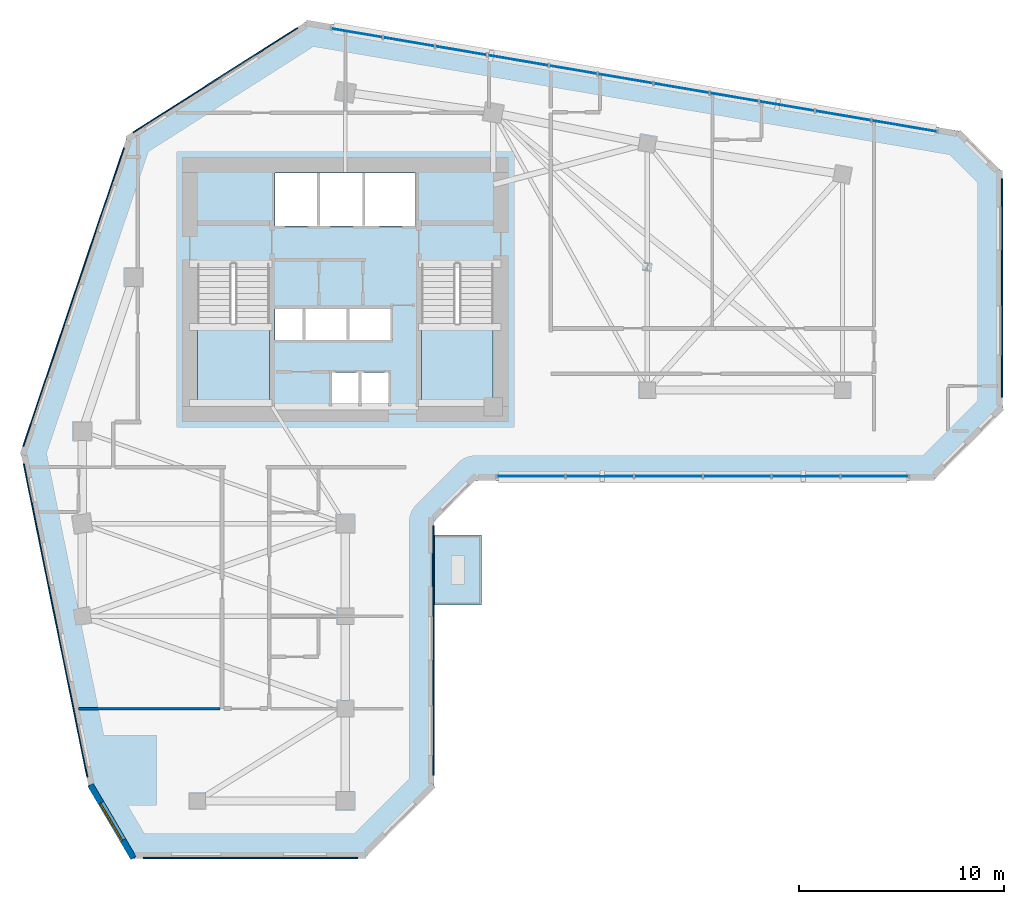
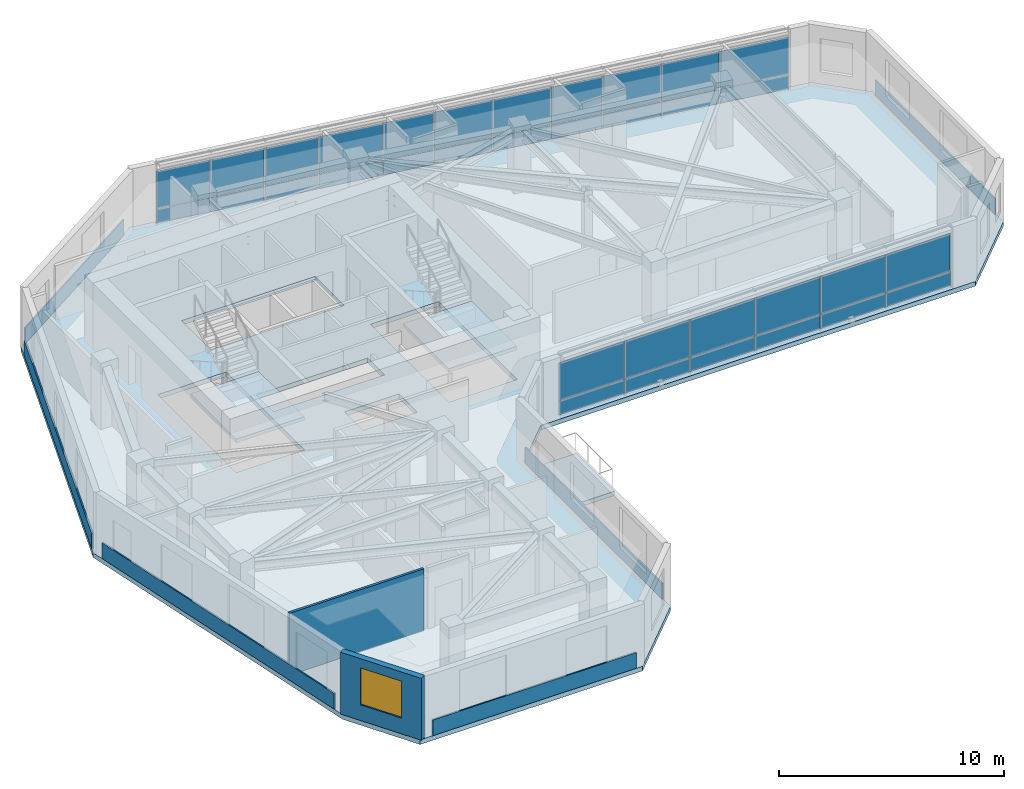
# One storey, part 3 of 10: 40 plates, 4 slabs, 2 walls, 1 window, 1 opening, 4 elements without a shape of their own.
"""IFC4 building model written with IfcOpenShell, lengths in metres."""

from ifc_helpers import new_model, si_unit, direction, frame, frame_2d, origin, place, context, subcontext, project, spatial, polyline, rectangle, outline, extrude, source, transform, mapped, material, layer, layer_set, type_object, element, fill, aggregate, save


model = new_model("IFC4")

# Units and contexts
model_context = context("Model", 3, precision=1e-05, world=origin(), true_north=direction((0.0, 1.0)))
body_context = subcontext(model_context, "Body", "Model", "MODEL_VIEW")
ifc_project = project(units=[si_unit("LENGTHUNIT", "METRE"), si_unit("AREAUNIT", "SQUARE_METRE"), si_unit("VOLUMEUNIT", "CUBIC_METRE"), si_unit("PLANEANGLEUNIT", "RADIAN"), si_unit("MASSUNIT", "GRAM", prefix="KILO")], contexts=[model_context])

# Site, building, storey
site_placement = place(None, origin())
site = spatial("IfcSite", under=ifc_project, at=site_placement, CompositionType="ELEMENT")
building_placement = place(site_placement, origin())
building = spatial("IfcBuilding", under=site, at=building_placement, Name="Calvemar Wedge Station Tower", CompositionType="ELEMENT")
storey_placement = place(building_placement, frame((0.0, 0.0, 146.60009765625)))
storey = spatial("IfcBuildingStorey", under=building, at=storey_placement, Name="L36", CompositionType="ELEMENT", Elevation=146.60009765625)

# Curtain wall, plates
ifc_material_1 = material(Name="Anodised aluminium 6063-T6", Category="aluminium")
curtain_wall_type = type_object("IfcCurtainWallType", Name="CW2", PredefinedType="NOTDEFINED", material=ifc_material_1)
curtain_wall_1_placement = place(storey_placement, origin())
curtain_wall_1 = element("IfcCurtainWall", 1, at=curtain_wall_1_placement, inside=storey, type_object=curtain_wall_type, Name="Storey L36 CW2 Recessed Unitised Curtain Wall 6", PredefinedType="NOTDEFINED")
ifc_material_2 = material(Name="Low-E laminated insulated glass", Category="glass")
ifc_layer_1 = layer(ifc_material_2, 0.028076171875)
ifc_layer_set_1 = layer_set([ifc_layer_1], Name="Low-E laminated insulated glass")
plate_type_1 = type_object("IfcPlateType", Name="CW2-GLZ", PredefinedType="CURTAIN_PANEL", material=ifc_layer_set_1)
plate_1_placement = place(storey_placement, frame((31.183837890625, 30.802001953125, 0.869873046875), z_axis=(0.0, 0.0, 1.0), x_axis=(1.0, 0.0, 0.0)))
plate_1 = element("IfcPlate", 2, at=plate_1_placement, type_object=plate_type_1, Name="CW2 vision glass panel 1", PredefinedType="CURTAIN_PANEL", context=body_context, shape_type="SweptSolid", body=[
    extrude(rectangle(XDim=3.309326171875, YDim=0.028076171875, at=frame_2d((1.65478515625, 0.0))), origin(), (0.0, 0.0, 1.0), 2.010009765625),
])
plate_2_placement = place(storey_placement, frame((34.529296875, 30.802001953125, 0.869873046875), z_axis=(0.0, 0.0, 1.0), x_axis=(1.0, 0.0, 0.0)))
plate_2 = element("IfcPlate", 3, at=plate_2_placement, type_object=plate_type_1, Name="CW2 vision glass panel 2", PredefinedType="CURTAIN_PANEL", context=body_context, shape_type="SweptSolid", body=[
    extrude(rectangle(XDim=3.309326171875, YDim=0.028076171875, at=frame_2d((1.65478515625, 0.0))), origin(), (0.0, 0.0, 1.0), 2.010009765625),
])
plate_3_placement = place(storey_placement, frame((37.87451171875, 30.802001953125, 0.869873046875), z_axis=(0.0, 0.0, 1.0), x_axis=(1.0, 0.0, 0.0)))
plate_3 = element("IfcPlate", 4, at=plate_3_placement, type_object=plate_type_1, Name="CW2 vision glass panel 3", PredefinedType="CURTAIN_PANEL", context=body_context, shape_type="SweptSolid", body=[
    extrude(rectangle(XDim=3.309326171875, YDim=0.028076171875, at=frame_2d((1.65478515625, 0.0))), origin(), (0.0, 0.0, 1.0), 2.010009765625),
])
plate_4_placement = place(storey_placement, frame((41.219970703125, 30.802001953125, 0.869873046875), z_axis=(0.0, 0.0, 1.0), x_axis=(1.0, 0.0, 0.0)))
plate_4 = element("IfcPlate", 5, at=plate_4_placement, type_object=plate_type_1, Name="CW2 vision glass panel 4", PredefinedType="CURTAIN_PANEL", context=body_context, shape_type="SweptSolid", body=[
    extrude(rectangle(XDim=3.309326171875, YDim=0.028076171875, at=frame_2d((1.65478515625, 0.0))), origin(), (0.0, 0.0, 1.0), 2.010009765625),
])
plate_5_placement = place(storey_placement, frame((44.565185546875, 30.802001953125, 0.869873046875), z_axis=(0.0, 0.0, 1.0), x_axis=(1.0, 0.0, 0.0)))
plate_5 = element("IfcPlate", 6, at=plate_5_placement, type_object=plate_type_1, Name="CW2 vision glass panel 5", PredefinedType="CURTAIN_PANEL", context=body_context, shape_type="SweptSolid", body=[
    extrude(rectangle(XDim=3.309326171875, YDim=0.028076171875, at=frame_2d((1.65478515625, 0.0))), origin(), (0.0, 0.0, 1.0), 2.010009765625),
])
plate_6_placement = place(storey_placement, frame((47.91064453125, 30.802001953125, 0.869873046875), z_axis=(0.0, 0.0, 1.0), x_axis=(1.0, 0.0, 0.0)))
plate_6 = element("IfcPlate", 7, at=plate_6_placement, type_object=plate_type_1, Name="CW2 vision glass panel 6", PredefinedType="CURTAIN_PANEL", context=body_context, shape_type="SweptSolid", body=[
    extrude(rectangle(XDim=3.309326171875, YDim=0.028076171875, at=frame_2d((1.65478515625, 0.0))), origin(), (0.0, 0.0, 1.0), 2.010009765625),
])

curtain_wall_2_placement = place(storey_placement, origin())
curtain_wall_2 = element("IfcCurtainWall", 8, at=curtain_wall_2_placement, inside=storey, type_object=curtain_wall_type, Name="Storey L36 CW2 Recessed Unitised Curtain Wall 10", PredefinedType="NOTDEFINED")
plate_7_placement = place(storey_placement, frame((52.615478515625, 47.580322265625, 0.869873046875), z_axis=(0.0, 0.0, 1.0), x_axis=(-0.985833907649, 0.167724495916, 0.0)))
plate_7 = element("IfcPlate", 9, at=plate_7_placement, type_object=plate_type_1, Name="CW2 vision glass panel 1", PredefinedType="CURTAIN_PANEL", context=body_context, shape_type="SweptSolid", body=[
    extrude(rectangle(XDim=3.2373046875, YDim=0.028076171875, at=frame_2d((1.61865234375, 0.0))), origin(), (0.0, 0.0, 1.0), 2.010009765625),
])
plate_8_placement = place(storey_placement, frame((49.388427734375, 48.129150390625, 0.869873046875), z_axis=(0.0, 0.0, 1.0), x_axis=(-0.985841253523, 0.167681313365, 0.0)))
plate_8 = element("IfcPlate", 10, at=plate_8_placement, type_object=plate_type_1, Name="CW2 vision glass panel 2", PredefinedType="CURTAIN_PANEL", context=body_context, shape_type="SweptSolid", body=[
    extrude(rectangle(XDim=2.7373046875, YDim=0.028076171875, at=frame_2d((1.36865234375, 0.0))), origin(), (0.0, 0.0, 1.0), 2.010009765625),
])
plate_9_placement = place(storey_placement, frame((46.654541015625, 48.59423828125, 0.869873046875), z_axis=(0.0, 0.0, 1.0), x_axis=(-0.985855994039, 0.167594627051, 0.0)))
plate_9 = element("IfcPlate", 11, at=plate_9_placement, type_object=plate_type_1, Name="CW2 vision glass panel 3", PredefinedType="CURTAIN_PANEL", context=body_context, shape_type="SweptSolid", body=[
    extrude(rectangle(XDim=2.7373046875, YDim=0.028076171875, at=frame_2d((1.36865234375, 0.0))), origin(), (0.0, 0.0, 1.0), 2.010009765625),
])
plate_10_placement = place(storey_placement, frame((43.92041015625, 49.05908203125, 0.869873046875), z_axis=(0.0, 0.0, 1.0), x_axis=(-0.985846595031, 0.167649906248, 0.0)))
plate_10 = element("IfcPlate", 12, at=plate_10_placement, type_object=plate_type_1, Name="CW2 vision glass panel 4", PredefinedType="CURTAIN_PANEL", context=body_context, shape_type="SweptSolid", body=[
    extrude(rectangle(XDim=2.3984375, YDim=0.028076171875, at=frame_2d((1.19921875, 0.0))), origin(), (0.0, 0.0, 1.0), 2.010009765625),
])
plate_11_placement = place(storey_placement, frame((41.5205078125, 49.46728515625, 0.869873046875), z_axis=(0.0, 0.0, 1.0), x_axis=(-0.985850982189, 0.167624106012, 0.0)))
plate_11 = element("IfcPlate", 13, at=plate_11_placement, type_object=plate_type_1, Name="CW2 vision glass panel 5", PredefinedType="CURTAIN_PANEL", context=body_context, shape_type="SweptSolid", body=[
    extrude(rectangle(XDim=2.73681640625, YDim=0.028076171875, at=frame_2d((1.368408203125, 0.0))), origin(), (0.0, 0.0, 1.0), 2.010009765625),
])
plate_12_placement = place(storey_placement, frame((38.786865234375, 49.93212890625, 0.869873046875), z_axis=(0.0, 0.0, 1.0), x_axis=(-0.985836236562, 0.167710806691, 0.0)))
plate_12 = element("IfcPlate", 14, at=plate_12_placement, type_object=plate_type_1, Name="CW2 vision glass panel 6", PredefinedType="CURTAIN_PANEL", context=body_context, shape_type="SweptSolid", body=[
    extrude(rectangle(XDim=2.73681640625, YDim=0.028076171875, at=frame_2d((1.368408203125, 0.0))), origin(), (0.0, 0.0, 1.0), 2.010009765625),
])
plate_13_placement = place(storey_placement, frame((36.053466796875, 50.39697265625, 0.869873046875), z_axis=(0.0, 0.0, 1.0), x_axis=(-0.985834995833, 0.167718099774, 0.0)))
plate_13 = element("IfcPlate", 15, at=plate_13_placement, type_object=plate_type_1, Name="CW2 vision glass panel 7", PredefinedType="CURTAIN_PANEL", context=body_context, shape_type="SweptSolid", body=[
    extrude(rectangle(XDim=2.361083984375, YDim=0.028076171875, at=frame_2d((1.1806640625, 0.0))), origin(), (0.0, 0.0, 1.0), 2.010009765625),
])
plate_14_placement = place(storey_placement, frame((33.6904296875, 50.798828125, 0.869873046875), z_axis=(0.0, 0.0, 1.0), x_axis=(-0.985846589489, 0.167649938837, 0.0)))
plate_14 = element("IfcPlate", 16, at=plate_14_placement, type_object=plate_type_1, Name="CW2 vision glass panel 8", PredefinedType="CURTAIN_PANEL", context=body_context, shape_type="SweptSolid", body=[
    extrude(rectangle(XDim=3.007080078125, YDim=0.028076171875, at=frame_2d((1.50341796875, 0.0))), origin(), (0.0, 0.0, 1.0), 2.010009765625),
])
plate_15_placement = place(storey_placement, frame((30.6904296875, 51.30908203125, 0.869873046875), z_axis=(0.0, 0.0, 1.0), x_axis=(-0.985852344868, 0.167616091467, 0.0)))
plate_15 = element("IfcPlate", 17, at=plate_15_placement, type_object=plate_type_1, Name="CW2 vision glass panel 9", PredefinedType="CURTAIN_PANEL", context=body_context, shape_type="SweptSolid", body=[
    extrude(rectangle(XDim=2.534423828125, YDim=0.028076171875, at=frame_2d((1.26708984375, 0.0))), origin(), (0.0, 0.0, 1.0), 2.010009765625),
])
plate_16_placement = place(storey_placement, frame((28.156494140625, 51.739990234375, 0.869873046875), z_axis=(0.0, 0.0, 1.0), x_axis=(-0.985852344868, 0.167616091467, 0.0)))
plate_16 = element("IfcPlate", 18, at=plate_16_placement, type_object=plate_type_1, Name="CW2 vision glass panel 10", PredefinedType="CURTAIN_PANEL", context=body_context, shape_type="SweptSolid", body=[
    extrude(rectangle(XDim=2.534423828125, YDim=0.028076171875, at=frame_2d((1.26708984375, 0.0))), origin(), (0.0, 0.0, 1.0), 2.010009765625),
])
plate_17_placement = place(storey_placement, frame((25.622314453125, 52.1708984375, 0.869873046875), z_axis=(0.0, 0.0, 1.0), x_axis=(-0.985833712673, 0.16772564192, 0.0)))
plate_17 = element("IfcPlate", 19, at=plate_17_placement, type_object=plate_type_1, Name="CW2 vision glass panel 11", PredefinedType="CURTAIN_PANEL", context=body_context, shape_type="SweptSolid", body=[
    extrude(rectangle(XDim=2.5341796875, YDim=0.028076171875, at=frame_2d((1.26708984375, 0.0))), origin(), (0.0, 0.0, 1.0), 2.010009765625),
])

# Plate
ifc_material_3 = material(Name="Oxidized bronze aluminium spandrel panel 5005-H24", Category="aluminium")
ifc_layer_2 = layer(ifc_material_3, 0.0400390625)
ifc_layer_set_2 = layer_set([ifc_layer_2], Name="Oxidized bronze aluminium spandrel panel 5005-H24")
plate_type_2 = type_object("IfcPlateType", Name="CW2-SPD", PredefinedType="SHEET", material=ifc_layer_set_2)
plate_18_placement = place(storey_placement, frame((31.183837890625, 30.802001953125, 0.079833984375), z_axis=(0.0, 0.0, 1.0), x_axis=(1.0, 0.0, 0.0)))
plate_18 = element("IfcPlate", 20, at=plate_18_placement, type_object=plate_type_2, Name="CW2 bronze spandrel panel 1", PredefinedType="SHEET", context=body_context, shape_type="SweptSolid", body=[
    extrude(rectangle(XDim=3.309326171875, YDim=0.0400390625, at=frame_2d((1.65478515625, 0.0))), origin(), (0.0, 0.0, 1.0), 0.75),
])

plate_19_placement = place(storey_placement, frame((34.529296875, 30.802001953125, 0.079833984375), z_axis=(0.0, 0.0, 1.0), x_axis=(1.0, 0.0, 0.0)))
plate_19 = element("IfcPlate", 21, at=plate_19_placement, type_object=plate_type_2, Name="CW2 bronze spandrel panel 2", PredefinedType="SHEET", context=body_context, shape_type="SweptSolid", body=[
    extrude(rectangle(XDim=3.309326171875, YDim=0.0400390625, at=frame_2d((1.65478515625, 0.0))), origin(), (0.0, 0.0, 1.0), 0.75),
])

plate_20_placement = place(storey_placement, frame((37.87451171875, 30.802001953125, 0.079833984375), z_axis=(0.0, 0.0, 1.0), x_axis=(1.0, 0.0, 0.0)))
plate_20 = element("IfcPlate", 22, at=plate_20_placement, type_object=plate_type_2, Name="CW2 bronze spandrel panel 3", PredefinedType="SHEET", context=body_context, shape_type="SweptSolid", body=[
    extrude(rectangle(XDim=3.309326171875, YDim=0.0400390625, at=frame_2d((1.65478515625, 0.0))), origin(), (0.0, 0.0, 1.0), 0.75),
])

plate_21_placement = place(storey_placement, frame((41.219970703125, 30.802001953125, 0.079833984375), z_axis=(0.0, 0.0, 1.0), x_axis=(1.0, 0.0, 0.0)))
plate_21 = element("IfcPlate", 23, at=plate_21_placement, type_object=plate_type_2, Name="CW2 bronze spandrel panel 4", PredefinedType="SHEET", context=body_context, shape_type="SweptSolid", body=[
    extrude(rectangle(XDim=3.309326171875, YDim=0.0400390625, at=frame_2d((1.65478515625, 0.0))), origin(), (0.0, 0.0, 1.0), 0.75),
])

plate_22_placement = place(storey_placement, frame((44.565185546875, 30.802001953125, 0.079833984375), z_axis=(0.0, 0.0, 1.0), x_axis=(1.0, 0.0, 0.0)))
plate_22 = element("IfcPlate", 24, at=plate_22_placement, type_object=plate_type_2, Name="CW2 bronze spandrel panel 5", PredefinedType="SHEET", context=body_context, shape_type="SweptSolid", body=[
    extrude(rectangle(XDim=3.309326171875, YDim=0.0400390625, at=frame_2d((1.65478515625, 0.0))), origin(), (0.0, 0.0, 1.0), 0.75),
])

plate_23_placement = place(storey_placement, frame((47.91064453125, 30.802001953125, 0.079833984375), z_axis=(0.0, 0.0, 1.0), x_axis=(1.0, 0.0, 0.0)))
plate_23 = element("IfcPlate", 25, at=plate_23_placement, type_object=plate_type_2, Name="CW2 bronze spandrel panel 6", PredefinedType="SHEET", context=body_context, shape_type="SweptSolid", body=[
    extrude(rectangle(XDim=3.309326171875, YDim=0.0400390625, at=frame_2d((1.65478515625, 0.0))), origin(), (0.0, 0.0, 1.0), 0.75),
])

aggregate(curtain_wall_1, [plate_18, plate_1, plate_19, plate_2, plate_20, plate_3, plate_21, plate_4, plate_22, plate_5, plate_23, plate_6])

plate_24_placement = place(storey_placement, frame((52.615478515625, 47.580322265625, 0.079833984375), z_axis=(0.0, 0.0, 1.0), x_axis=(-0.985833907649, 0.167724495916, 0.0)))
plate_24 = element("IfcPlate", 26, at=plate_24_placement, type_object=plate_type_2, Name="CW2 bronze spandrel panel 1", PredefinedType="SHEET", context=body_context, shape_type="SweptSolid", body=[
    extrude(rectangle(XDim=3.2373046875, YDim=0.0400390625, at=frame_2d((1.61865234375, 0.0))), origin(), (0.0, 0.0, 1.0), 0.75),
])

plate_25_placement = place(storey_placement, frame((49.388427734375, 48.129150390625, 0.079833984375), z_axis=(0.0, 0.0, 1.0), x_axis=(-0.985841253523, 0.167681313365, 0.0)))
plate_25 = element("IfcPlate", 27, at=plate_25_placement, type_object=plate_type_2, Name="CW2 bronze spandrel panel 2", PredefinedType="SHEET", context=body_context, shape_type="SweptSolid", body=[
    extrude(rectangle(XDim=2.7373046875, YDim=0.0400390625, at=frame_2d((1.36865234375, 0.0))), origin(), (0.0, 0.0, 1.0), 0.75),
])

plate_26_placement = place(storey_placement, frame((46.654541015625, 48.59423828125, 0.079833984375), z_axis=(0.0, 0.0, 1.0), x_axis=(-0.985855994039, 0.167594627051, 0.0)))
plate_26 = element("IfcPlate", 28, at=plate_26_placement, type_object=plate_type_2, Name="CW2 bronze spandrel panel 3", PredefinedType="SHEET", context=body_context, shape_type="SweptSolid", body=[
    extrude(rectangle(XDim=2.7373046875, YDim=0.0400390625, at=frame_2d((1.36865234375, 0.0))), origin(), (0.0, 0.0, 1.0), 0.75),
])

plate_27_placement = place(storey_placement, frame((43.92041015625, 49.05908203125, 0.079833984375), z_axis=(0.0, 0.0, 1.0), x_axis=(-0.985846595031, 0.167649906248, 0.0)))
plate_27 = element("IfcPlate", 29, at=plate_27_placement, type_object=plate_type_2, Name="CW2 bronze spandrel panel 4", PredefinedType="SHEET", context=body_context, shape_type="SweptSolid", body=[
    extrude(rectangle(XDim=2.3984375, YDim=0.0400390625, at=frame_2d((1.19921875, 0.0))), origin(), (0.0, 0.0, 1.0), 0.75),
])

plate_28_placement = place(storey_placement, frame((41.5205078125, 49.46728515625, 0.079833984375), z_axis=(0.0, 0.0, 1.0), x_axis=(-0.985850982189, 0.167624106012, 0.0)))
plate_28 = element("IfcPlate", 30, at=plate_28_placement, type_object=plate_type_2, Name="CW2 bronze spandrel panel 5", PredefinedType="SHEET", context=body_context, shape_type="SweptSolid", body=[
    extrude(rectangle(XDim=2.73681640625, YDim=0.0400390625, at=frame_2d((1.368408203125, 0.0))), origin(), (0.0, 0.0, 1.0), 0.75),
])

plate_29_placement = place(storey_placement, frame((38.786865234375, 49.93212890625, 0.079833984375), z_axis=(0.0, 0.0, 1.0), x_axis=(-0.985836236562, 0.167710806691, 0.0)))
plate_29 = element("IfcPlate", 31, at=plate_29_placement, type_object=plate_type_2, Name="CW2 bronze spandrel panel 6", PredefinedType="SHEET", context=body_context, shape_type="SweptSolid", body=[
    extrude(rectangle(XDim=2.73681640625, YDim=0.0400390625, at=frame_2d((1.368408203125, 0.0))), origin(), (0.0, 0.0, 1.0), 0.75),
])

plate_30_placement = place(storey_placement, frame((36.053466796875, 50.39697265625, 0.079833984375), z_axis=(0.0, 0.0, 1.0), x_axis=(-0.985834995833, 0.167718099774, 0.0)))
plate_30 = element("IfcPlate", 32, at=plate_30_placement, type_object=plate_type_2, Name="CW2 bronze spandrel panel 7", PredefinedType="SHEET", context=body_context, shape_type="SweptSolid", body=[
    extrude(rectangle(XDim=2.361083984375, YDim=0.0400390625, at=frame_2d((1.1806640625, 0.0))), origin(), (0.0, 0.0, 1.0), 0.75),
])

plate_31_placement = place(storey_placement, frame((33.6904296875, 50.798828125, 0.079833984375), z_axis=(0.0, 0.0, 1.0), x_axis=(-0.985846589489, 0.167649938837, 0.0)))
plate_31 = element("IfcPlate", 33, at=plate_31_placement, type_object=plate_type_2, Name="CW2 bronze spandrel panel 8", PredefinedType="SHEET", context=body_context, shape_type="SweptSolid", body=[
    extrude(rectangle(XDim=3.007080078125, YDim=0.0400390625, at=frame_2d((1.50341796875, 0.0))), origin(), (0.0, 0.0, 1.0), 0.75),
])

plate_32_placement = place(storey_placement, frame((30.6904296875, 51.30908203125, 0.079833984375), z_axis=(0.0, 0.0, 1.0), x_axis=(-0.985852344868, 0.167616091467, 0.0)))
plate_32 = element("IfcPlate", 34, at=plate_32_placement, type_object=plate_type_2, Name="CW2 bronze spandrel panel 9", PredefinedType="SHEET", context=body_context, shape_type="SweptSolid", body=[
    extrude(rectangle(XDim=2.534423828125, YDim=0.0400390625, at=frame_2d((1.26708984375, 0.0))), origin(), (0.0, 0.0, 1.0), 0.75),
])

plate_33_placement = place(storey_placement, frame((28.156494140625, 51.739990234375, 0.079833984375), z_axis=(0.0, 0.0, 1.0), x_axis=(-0.985852344868, 0.167616091467, 0.0)))
plate_33 = element("IfcPlate", 35, at=plate_33_placement, type_object=plate_type_2, Name="CW2 bronze spandrel panel 10", PredefinedType="SHEET", context=body_context, shape_type="SweptSolid", body=[
    extrude(rectangle(XDim=2.534423828125, YDim=0.0400390625, at=frame_2d((1.26708984375, 0.0))), origin(), (0.0, 0.0, 1.0), 0.75),
])

plate_34_placement = place(storey_placement, frame((25.622314453125, 52.1708984375, 0.079833984375), z_axis=(0.0, 0.0, 1.0), x_axis=(-0.985833712673, 0.16772564192, 0.0)))
plate_34 = element("IfcPlate", 36, at=plate_34_placement, type_object=plate_type_2, Name="CW2 bronze spandrel panel 11", PredefinedType="SHEET", context=body_context, shape_type="SweptSolid", body=[
    extrude(rectangle(XDim=2.5341796875, YDim=0.0400390625, at=frame_2d((1.26708984375, 0.0))), origin(), (0.0, 0.0, 1.0), 0.75),
])

aggregate(curtain_wall_2, [plate_24, plate_7, plate_25, plate_8, plate_26, plate_9, plate_27, plate_10, plate_28, plate_11, plate_29, plate_12, plate_30, plate_13, plate_31, plate_14, plate_32, plate_15, plate_33, plate_16, plate_34, plate_17])

# Plates
ifc_material_4 = material(Name="Precast concrete C45", Category="concrete")
ifc_layer_3 = layer(ifc_material_4, 0.06494140625)
ifc_layer_set_3 = layer_set([ifc_layer_3], Name="Precast concrete C45")
plate_type_3 = type_object("IfcPlateType", Name="PL-GFRC-FIN", PredefinedType="USERDEFINED", material=ifc_layer_set_3)
plate_35_placement = place(storey_placement, frame((13.973876953125, 12.22998046875, 0.0), z_axis=(0.0, 0.0, 1.0), x_axis=(1.0, 0.0, 0.0)))
element("IfcPlate", 37, at=plate_35_placement, inside=storey, type_object=plate_type_3, Name="Storey L36 Oxidized-Bronze GFRC Spandrel Cladding 2", ObjectType="CLADDING PANEL", PredefinedType="USERDEFINED", context=body_context, shape_type="SweptSolid", body=[
    extrude(rectangle(XDim=10.442138671875, YDim=0.06494140625, at=frame_2d((5.22119140625, 0.0))), origin(), (0.0, 0.0, 1.0), 0.849853515625),
])
plate_36_placement = place(storey_placement, frame((28.097900390625, 16.25732421875, 0.0), z_axis=(0.0, 0.0, 1.0), x_axis=(0.0, 1.0, 0.0)))
element("IfcPlate", 38, at=plate_36_placement, inside=storey, type_object=plate_type_3, Name="Storey L36 Oxidized-Bronze GFRC Spandrel Cladding 4", ObjectType="CLADDING PANEL", PredefinedType="USERDEFINED", context=body_context, shape_type="SweptSolid", body=[
    extrude(rectangle(XDim=12.146728515625, YDim=0.06494140625, at=frame_2d((6.0732421875, 0.0))), origin(), (0.0, 0.0, 1.0), 0.849853515625),
])
plate_37_placement = place(storey_placement, frame((55.77001953125, 34.6494140625, 0.0), z_axis=(0.0, 0.0, 1.0), x_axis=(0.0, 1.0, 0.0)))
element("IfcPlate", 39, at=plate_37_placement, inside=storey, type_object=plate_type_3, Name="Storey L36 Oxidized-Bronze GFRC Spandrel Cladding 8", ObjectType="CLADDING PANEL", PredefinedType="USERDEFINED", context=body_context, shape_type="SweptSolid", body=[
    extrude(rectangle(XDim=10.63037109375, YDim=0.06494140625, at=frame_2d((5.315185546875, 0.0))), origin(), (0.0, 0.0, 1.0), 0.849853515625),
])
plate_38_placement = place(storey_placement, frame((21.472900390625, 52.62890625, 0.0), z_axis=(0.0, 0.0, 1.0), x_axis=(-0.843667847652, -0.536865497903, 0.0)))
element("IfcPlate", 40, at=plate_38_placement, inside=storey, type_object=plate_type_3, Name="Storey L36 Oxidized-Bronze GFRC Spandrel Cladding 11", ObjectType="CLADDING PANEL", PredefinedType="USERDEFINED", context=body_context, shape_type="SweptSolid", body=[
    extrude(rectangle(XDim=9.48388671875, YDim=0.06494140625, at=frame_2d((4.741943359375, 0.0))), origin(), (0.0, 0.0, 1.0), 0.849853515625),
])
plate_39_placement = place(storey_placement, frame((13.02685546875, 46.793212890625, 0.0), z_axis=(0.0, 0.0, 1.0), x_axis=(-0.319917646984, -0.947445354175, 0.0)))
element("IfcPlate", 41, at=plate_39_placement, inside=storey, type_object=plate_type_3, Name="Storey L36 Oxidized-Bronze GFRC Spandrel Cladding 12", ObjectType="CLADDING PANEL", PredefinedType="USERDEFINED", context=body_context, shape_type="SweptSolid", body=[
    extrude(rectangle(XDim=15.333740234375, YDim=0.06494140625, at=frame_2d((7.6669921875, 0.0))), origin(), (0.0, 0.0, 1.0), 0.849853515625),
])
plate_40_placement = place(storey_placement, frame((8.148681640625, 31.41796875, 0.0), z_axis=(0.0, 0.0, 1.0), x_axis=(0.198878666253, -0.980024120167, 0.0)))
element("IfcPlate", 42, at=plate_40_placement, inside=storey, type_object=plate_type_3, Name="Storey L36 Oxidized-Bronze GFRC Spandrel Cladding 13", ObjectType="CLADDING PANEL", PredefinedType="USERDEFINED", context=body_context, shape_type="SweptSolid", body=[
    extrude(rectangle(XDim=15.563232421875, YDim=0.06494140625, at=frame_2d((7.78173828125, 0.0))), origin(), (0.0, 0.0, 1.0), 0.849853515625),
])

# Stair, slab
ifc_material_5 = material(Name="Concrete C45", Category="concrete")
stair_type = type_object("IfcStairType", Name="ST-TYPE-3600", PredefinedType="HALF_TURN_STAIR", material=ifc_material_5)
stair_1_placement = place(storey_placement, origin())
stair_1 = element("IfcStair", 43, at=stair_1_placement, inside=storey, type_object=stair_type, Name="L36 Pressurized Core Exit Stair ST-C1", PredefinedType="HALF_TURN_STAIR")
ifc_layer_4 = layer(ifc_material_5, 0.199951171875)
ifc_layer_set_4 = layer_set([ifc_layer_4], Name="Concrete C45")
slab_type_1 = type_object("IfcSlabType", Name="SL-STAIR-LND-200", PredefinedType="LANDING", material=ifc_layer_set_4)
slab_1_placement = place(storey_placement, frame((0.0, 0.0, 1.599853515625)))
slab_1 = element("IfcSlab", 44, at=slab_1_placement, type_object=slab_type_1, Name="ST-C1 landing 1", PredefinedType="LANDING", context=body_context, shape_type="SweptSolid", body=[
    extrude(outline(polyline([(16.60009765625, 38.25), (16.60009765625, 34.199951171875), (20.10009765625, 34.199951171875), (20.10009765625, 38.25), (16.60009765625, 38.25)])), origin(), (0.0, 0.0, 1.0), 0.199951171875),
])
aggregate(stair_1, [slab_1])

stair_2_placement = place(storey_placement, origin())
stair_2 = element("IfcStair", 45, at=stair_2_placement, inside=storey, type_object=stair_type, Name="L36 Pressurized Core Exit Stair ST-C2", PredefinedType="HALF_TURN_STAIR")
slab_2_placement = place(storey_placement, frame((0.0, 0.0, 1.599853515625)))
slab_2 = element("IfcSlab", 46, at=slab_2_placement, type_object=slab_type_1, Name="ST-C2 landing 1", PredefinedType="LANDING", context=body_context, shape_type="SweptSolid", body=[
    extrude(outline(polyline([(27.5, 38.25), (27.5, 34.199951171875), (31.0, 34.199951171875), (31.0, 38.25), (27.5, 38.25)])), origin(), (0.0, 0.0, 1.0), 0.199951171875),
])
aggregate(stair_2, [slab_2])

# Slabs
ifc_layer_5 = layer(ifc_material_5, 0.239990234375)
ifc_layer_set_5 = layer_set([ifc_layer_5], Name="Concrete C45")
slab_type_2 = type_object("IfcSlabType", Name="SL-TERR-240", PredefinedType="FLOOR", material=ifc_layer_set_5)
slab_3_placement = place(storey_placement, frame((0.0, 0.0, -0.239990234375)))
element("IfcSlab", 47, at=slab_3_placement, inside=storey, type_object=slab_type_2, Name="Storey L36 Planted Spiral Terrace Slab", PredefinedType="FLOOR", context=body_context, shape_type="SweptSolid", body=[
    extrude(outline(polyline([(28.1279296875, 24.550048828125), (30.427978515625, 24.550048828125), (30.427978515625, 27.949951171875), (28.1279296875, 27.949951171875), (28.1279296875, 24.550048828125)])), origin(), (0.0, 0.0, 1.0), 0.239990234375),
])
ifc_material_6 = material(Name="Concrete C50", Category="concrete")
ifc_layer_6 = layer(ifc_material_6, 0.25)
ifc_layer_set_6 = layer_set([ifc_layer_6], Name="Concrete C50")
slab_type_3 = type_object("IfcSlabType", Name="SL-TYP-250", PredefinedType="FLOOR", material=ifc_layer_set_6)
slab_4_placement = place(storey_placement, frame((0.0, 0.0, -0.25)))
element("IfcSlab", 48, at=slab_4_placement, inside=storey, type_object=slab_type_3, Name="Storey L36 Structural Floor Slab", PredefinedType="FLOOR", context=body_context, shape_type="SweptSolid", body=[
    extrude(outline(polyline([(8.0, 32.0), (11.327880859375, 15.60009765625), (13.327880859375, 12.199951171875), (24.72802734375, 12.199951171875), (28.1279296875, 15.60009765625), (28.1279296875, 28.592041015625), (30.1279296875, 30.592041015625), (52.39990234375, 30.592041015625), (55.800048828125, 33.991943359375), (55.800048828125, 45.592041015625), (53.800048828125, 47.592041015625), (22.0, 53.0), (13.199951171875, 47.39990234375), (8.0, 32.0)]), holes=[polyline([(24.52001953125, 35.85009765625), (24.510009765625, 35.85009765625), (23.1201171875, 35.85009765625), (23.1201171875, 34.219970703125), (24.510009765625, 34.219970703125), (24.52001953125, 34.219970703125), (25.909912109375, 34.219970703125), (25.909912109375, 35.85009765625), (24.52001953125, 35.85009765625)]), polyline([(16.60009765625, 34.199951171875), (20.10009765625, 34.199951171875), (20.10009765625, 41.14990234375), (16.60009765625, 41.14990234375), (16.60009765625, 34.199951171875)]), polyline([(27.5, 34.199951171875), (31.0, 34.199951171875), (31.0, 41.14990234375), (27.5, 41.14990234375), (27.5, 34.199951171875)]), polyline([(21.800048828125, 38.949951171875), (21.7900390625, 38.949951171875), (20.3798828125, 38.949951171875), (20.3798828125, 37.449951171875), (21.7900390625, 37.449951171875), (21.800048828125, 37.449951171875), (23.929931640625, 37.449951171875), (23.93994140625, 37.449951171875), (26.080078125, 37.449951171875), (26.080078125, 38.949951171875), (23.93994140625, 38.949951171875), (23.929931640625, 38.949951171875), (21.800048828125, 38.949951171875)]), polyline([(27.219970703125, 43.0), (27.219970703125, 45.580078125), (20.3798828125, 45.580078125), (20.3798828125, 43.0), (27.219970703125, 43.0)])]), origin(), (0.0, 0.0, 1.0), 0.25),
])

# Wall, opening, window
ifc_layer_7 = layer(ifc_material_4, 0.300048828125)
ifc_layer_set_7 = layer_set([ifc_layer_7], Name="Precast concrete C45")
wall_type_1 = type_object("IfcWallType", Name="W-EXT-GFRC-300", PredefinedType="SOLIDWALL", material=ifc_layer_set_7)
wall_1_placement = place(storey_placement, frame((11.39404296875, 15.78369140625, 0.0), z_axis=(0.0, 0.0, 1.0), x_axis=(0.50698915279, -0.861952434275, 0.0)))
wall_1 = element("IfcWall", 49, at=wall_1_placement, inside=storey, type_object=wall_type_1, Name="Storey L36 Bronze GFRC Exterior Wall 1", PredefinedType="SOLIDWALL", context=body_context, shape_type="SweptSolid", body=[
    extrude(rectangle(XDim=4.133544921875, YDim=0.300048828125, at=frame_2d((2.06689453125, 0.0))), origin(), (0.0, 0.0, 1.0), 3.349853515625),
])
shared_shape_1 = source(origin(), body_context, "Body", "SweptSolid", [
    extrude(rectangle(XDim=2.10009765625, YDim=2.0, at=frame_2d((1.050048828125, 1.0))), frame((0.0, 0.16015625, 0.0), z_axis=(0.0, -1.0, 0.0), x_axis=(1.0, 0.0, 0.0)), (0.0, 0.0, 1.0), 0.320068359375),
])
opening_placement = place(wall_1_placement, frame((1.01708984375, 0.0, 0.85009765625)))
opening = element("IfcOpeningElement", 50, at=opening_placement, cuts=wall_1, Name="Opening W4", PredefinedType="OPENING", context=body_context, shape_type="MappedRepresentation", body=[
    mapped(shared_shape_1, transform((0.0, 0.0, 0.0), scale=1.0)),
])
window_type = type_object("IfcWindowType", Name="WIN-EXT-4", PartitioningType="SINGLE_PANEL", PredefinedType="WINDOW", material=ifc_material_2)
shared_shape_2 = source(origin(), body_context, "Body", "SweptSolid", [
    extrude(rectangle(XDim=2.10009765625, YDim=2.0, at=frame_2d((1.050048828125, 1.0))), frame((0.0, -0.014892578125, 0.0), z_axis=(0.0, -1.0, 0.0), x_axis=(1.0, 0.0, 0.0)), (0.0, 0.0, 1.0), 0.06005859375),
])
window_placement = place(opening_placement, origin())
window = element("IfcWindow", 51, at=window_placement, inside=storey, type_object=window_type, Name="Storey L36 Recessed Window 1.1", OverallHeight=2.0, OverallWidth=2.10009765625, PartitioningType="SINGLE_PANEL", PredefinedType="WINDOW", context=body_context, shape_type="MappedRepresentation", body=[
    mapped(shared_shape_2, transform((0.0, 0.0, 0.0), scale=1.0)),
])
fill(opening, window)

# Wall
ifc_material_7 = material(Name="Insulated acoustic gypsum stud partition")
ifc_layer_8 = layer(ifc_material_7, 0.125)
ifc_layer_set_8 = layer_set([ifc_layer_8], Name="Insulated acoustic gypsum stud partition")
wall_type_2 = type_object("IfcWallType", Name="W-PART-125", PredefinedType="PARTITIONING", material=ifc_layer_set_8)
wall_2_placement = place(storey_placement, frame((17.7060546875, 19.5, 0.0), z_axis=(0.0, 0.0, 1.0), x_axis=(-1.0, 0.0, 0.0)))
element("IfcWall", 52, at=wall_2_placement, inside=storey, type_object=wall_type_2, Name="Storey L36 Interior Partition WL-L36-043", PredefinedType="PARTITIONING", context=body_context, shape_type="SweptSolid", body=[
    extrude(rectangle(XDim=6.899169921875, YDim=0.125, at=frame_2d((3.44970703125, 0.0))), origin(), (0.0, 0.0, 1.0), 3.349853515625),
])

save(model, "model.ifc")
